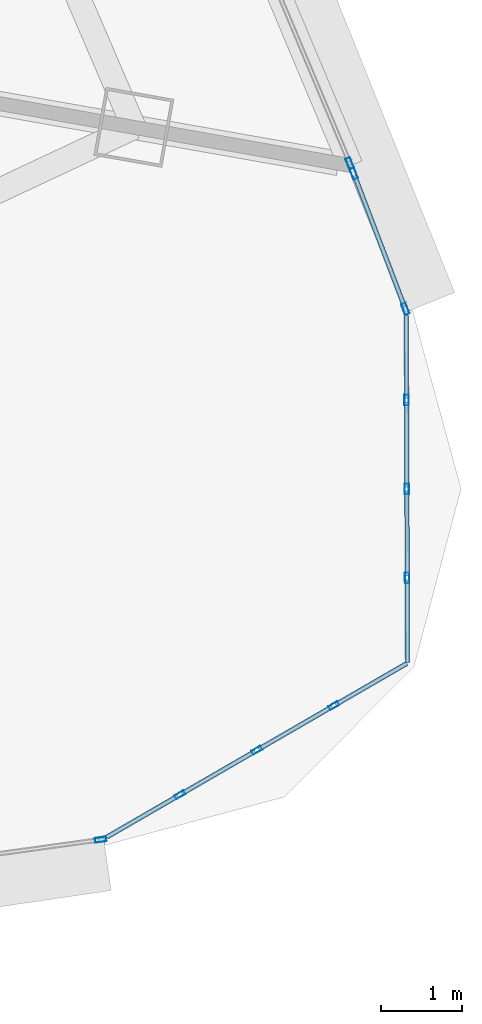
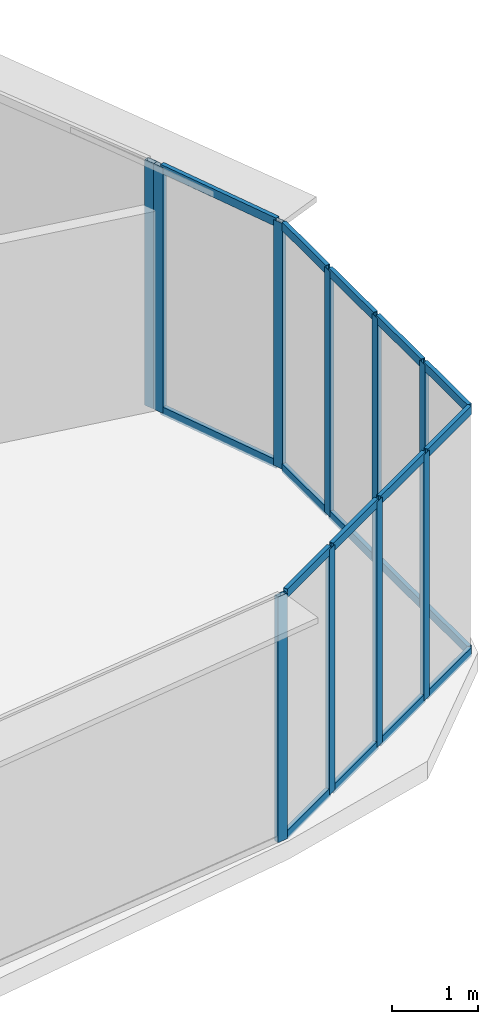
# One storey, part 26 of 36: 28 members, 5 elements without a shape of their own.
"""IFC4 building model written with IfcOpenShell, lengths in metres."""

from ifc_helpers import new_model, si_unit, direction, frame, origin, origin_2d, place, context, subcontext, project, spatial, hollow_rectangle, extrude, source, transform, mapped, material, layer, layer_set, material_profile, profile_set, type_object, element, aggregate, save


model = new_model("IFC4")

# Units and contexts
model_context = context("Model", 3, precision=1e-05, world=origin(), true_north=direction((0.0, 1.0)))
body_context = subcontext(model_context, "Body", "Model", "MODEL_VIEW")
ifc_project = project(units=[si_unit("LENGTHUNIT", "METRE"), si_unit("AREAUNIT", "SQUARE_METRE"), si_unit("VOLUMEUNIT", "CUBIC_METRE"), si_unit("PLANEANGLEUNIT", "RADIAN"), si_unit("MASSUNIT", "GRAM", prefix="KILO"), si_unit("THERMODYNAMICTEMPERATUREUNIT", "KELVIN"), si_unit("POWERUNIT", "WATT")], contexts=[model_context])

# Site, building, storey
site_placement = place(None, origin())
site = spatial("IfcSite", under=ifc_project, at=site_placement, CompositionType="ELEMENT")
building_placement = place(site_placement, origin())
building = spatial("IfcBuilding", under=site, at=building_placement, Name="Yunzhuo Pagoda Commons", CompositionType="ELEMENT")
storey_placement = place(building_placement, frame((0.0, 0.0, 248.260009765625)))
storey = spatial("IfcBuildingStorey", under=building, at=storey_placement, Name="L62", CompositionType="ELEMENT", Elevation=248.260009765625)

# Curtain wall, member
ifc_material = material(Name="Anodized aluminium 6063-T6", Category="aluminium")
ifc_layer_1 = layer(ifc_material, 0.139892578125)
ifc_layer_set_1 = layer_set([ifc_layer_1], Name="Anodized aluminium 6063-T6")
curtain_wall_type_1 = type_object("IfcCurtainWallType", Name="CW-HI High-Zone Ribbon Curtain Wall", PredefinedType="NOTDEFINED", material=ifc_layer_set_1)
curtain_wall_1_placement = place(storey_placement, origin())
curtain_wall_1 = element("IfcCurtainWall", 1, at=curtain_wall_1_placement, inside=storey, type_object=curtain_wall_type_1, Name="L62 curtain wall CW-L62-F1B5", PredefinedType="NOTDEFINED")
ifc_material_profile_1 = material_profile(ifc_material, hollow_rectangle(XDim=0.06005859375, YDim=0.139892578125, WallThickness=0.00341796875, at=origin_2d()), Name="Anodized aluminium 6063-T6")
ifc_profile_set_1 = profile_set([ifc_material_profile_1], Name="Anodized aluminium 6063-T6")
member_type_1 = type_object("IfcMemberType", Name="CW-HI-M Mullion RHS 140x60x3.5", PredefinedType="MULLION", material=ifc_profile_set_1)
shared_shape_1 = source(origin(), body_context, "Body", "SweptSolid", [
    extrude(hollow_rectangle(XDim=0.06005859375, YDim=0.139892578125, WallThickness=0.00341796875, at=origin_2d()), origin(), (0.0, 0.0, 1.0), 3.47021484375),
])
member_1_placement = place(storey_placement, frame((79.5244140625, 19.29833984375, 0.0), z_axis=(0.0, 0.0, 1.0), x_axis=(-0.137250412651, 0.990536382082, 0.0)))
member_1 = element("IfcMember", 2, at=member_1_placement, type_object=member_type_1, Name="CW mullion 2", PredefinedType="MULLION", context=body_context, shape_type="MappedRepresentation", body=[
    mapped(shared_shape_1, transform((0.0, 0.0, 0.0), scale=1.0)),
])
aggregate(curtain_wall_1, [member_1])

curtain_wall_2_placement = place(storey_placement, origin())
curtain_wall_2 = element("IfcCurtainWall", 3, at=curtain_wall_2_placement, inside=storey, type_object=curtain_wall_type_1, Name="L62 curtain wall CW-L62-F2B2", PredefinedType="NOTDEFINED")
member_2_placement = place(storey_placement, frame((82.5927734375, 27.6259765625, 0.0), z_axis=(0.0, 0.0, 1.0), x_axis=(-0.922008372235, -0.387169938824, 0.0)))
member_2 = element("IfcMember", 4, at=member_2_placement, type_object=member_type_1, Name="CW mullion 1", PredefinedType="MULLION", context=body_context, shape_type="MappedRepresentation", body=[
    mapped(shared_shape_1, transform((0.0, 0.0, 0.0), scale=1.0)),
])
aggregate(curtain_wall_2, [member_2])

# Curtain wall, members
curtain_wall_3_placement = place(storey_placement, origin())
curtain_wall_3 = element("IfcCurtainWall", 5, at=curtain_wall_3_placement, inside=storey, type_object=curtain_wall_type_1, Name="L62 curtain wall CW-L62-F2B1", PredefinedType="NOTDEFINED")
member_3_placement = place(storey_placement, frame((83.277099609375, 25.833251953125, 0.0), z_axis=(0.0, 0.0, 1.0), x_axis=(-0.934441330585, -0.356117115139, 0.0)))
member_3 = element("IfcMember", 6, at=member_3_placement, type_object=member_type_1, Name="CW mullion 1", PredefinedType="MULLION", context=body_context, shape_type="MappedRepresentation", body=[
    mapped(shared_shape_1, transform((0.0, 0.0, 0.0), scale=1.0)),
])
member_4_placement = place(storey_placement, frame((82.641845703125, 27.500244140625, 0.0), z_axis=(0.0, 0.0, 1.0), x_axis=(-0.934441330585, -0.356117115139, 0.0)))
member_4 = element("IfcMember", 7, at=member_4_placement, type_object=member_type_1, Name="CW mullion 2", PredefinedType="MULLION", context=body_context, shape_type="MappedRepresentation", body=[
    mapped(shared_shape_1, transform((0.0, 0.0, 0.0), scale=1.0)),
])
ifc_material_profile_2 = material_profile(ifc_material, hollow_rectangle(XDim=0.054931640625, YDim=0.1201171875, WallThickness=0.00341796875, at=origin_2d()), Name="Anodized aluminium 6063-T6")
ifc_profile_set_2 = profile_set([ifc_material_profile_2], Name="Anodized aluminium 6063-T6")
member_type_2 = type_object("IfcMemberType", Name="CW-HI-T Transom RHS 120x55x3.5", PredefinedType="USERDEFINED", material=ifc_profile_set_2)
shared_shape_2 = source(origin(), body_context, "Body", "SweptSolid", [
    extrude(hollow_rectangle(XDim=0.054931640625, YDim=0.1201171875, WallThickness=0.00341796875, at=origin_2d()), origin(), (0.0, 0.0, 1.0), 1.723876953125),
])
member_5_placement = place(storey_placement, frame((83.266357421875, 25.861328125, 0.027587890625), z_axis=(-0.356054221933, 0.934465296864, 0.0), x_axis=(-0.934465296864, -0.356054221933, 0.0)))
member_5 = element("IfcMember", 8, at=member_5_placement, type_object=member_type_2, Name="CW transom 1.1", ObjectType="TRANSOM", PredefinedType="USERDEFINED", context=body_context, shape_type="MappedRepresentation", body=[
    mapped(shared_shape_2, transform((0.0, 0.0, 0.0), scale=1.0)),
])
member_6_placement = place(storey_placement, frame((83.266357421875, 25.861328125, 3.4423828125), z_axis=(-0.356054221933, 0.934465296864, 0.0), x_axis=(-0.934465296864, -0.356054221933, 0.0)))
member_6 = element("IfcMember", 9, at=member_6_placement, type_object=member_type_2, Name="CW transom 1.2", ObjectType="TRANSOM", PredefinedType="USERDEFINED", context=body_context, shape_type="MappedRepresentation", body=[
    mapped(shared_shape_2, transform((0.0, 0.0, 0.0), scale=1.0)),
])
aggregate(curtain_wall_3, [member_3, member_4, member_5, member_6])

ifc_layer_2 = layer(ifc_material, 0.1298828125)
ifc_layer_set_2 = layer_set([ifc_layer_2], Name="Anodized aluminium 6063-T6")
curtain_wall_type_2 = type_object("IfcCurtainWallType", Name="CW-VTX Rounded Corner Curtain Wall", PredefinedType="NOTDEFINED", material=ifc_layer_set_2)
curtain_wall_4_placement = place(storey_placement, origin())
curtain_wall_4 = element("IfcCurtainWall", 10, at=curtain_wall_4_placement, inside=storey, type_object=curtain_wall_type_2, Name="L62 curtain wall CW-L62-VTX2S1", PredefinedType="NOTDEFINED")
ifc_material_profile_3 = material_profile(ifc_material, hollow_rectangle(XDim=0.054931640625, YDim=0.1298828125, WallThickness=0.00341796875, at=origin_2d()), Name="Anodized aluminium 6063-T6")
ifc_profile_set_3 = profile_set([ifc_material_profile_3], Name="Anodized aluminium 6063-T6")
member_type_3 = type_object("IfcMemberType", Name="CW-VTX-M Mullion RHS 130x55x3.5", PredefinedType="MULLION", material=ifc_profile_set_3)
shared_shape_3 = source(origin(), body_context, "Body", "SweptSolid", [
    extrude(hollow_rectangle(XDim=0.054931640625, YDim=0.1298828125, WallThickness=0.00341796875, at=origin_2d()), origin(), (0.0, 0.0, 1.0), 3.47021484375),
])
member_7_placement = place(storey_placement, frame((80.50146484375, 19.850830078125, 0.0), z_axis=(0.0, 0.0, 1.0), x_axis=(-0.501035370268, 0.865426806692, 0.0)))
member_7 = element("IfcMember", 11, at=member_7_placement, type_object=member_type_3, Name="CW mullion 2", PredefinedType="MULLION", context=body_context, shape_type="MappedRepresentation", body=[
    mapped(shared_shape_3, transform((0.0, 0.0, 0.0), scale=1.0)),
])
member_8_placement = place(storey_placement, frame((81.448974609375, 20.3994140625, 0.0), z_axis=(0.0, 0.0, 1.0), x_axis=(-0.501035370268, 0.865426806692, 0.0)))
member_8 = element("IfcMember", 12, at=member_8_placement, type_object=member_type_3, Name="CW mullion 3", PredefinedType="MULLION", context=body_context, shape_type="MappedRepresentation", body=[
    mapped(shared_shape_3, transform((0.0, 0.0, 0.0), scale=1.0)),
])
member_9_placement = place(storey_placement, frame((82.39599609375, 20.94775390625, 0.0), z_axis=(0.0, 0.0, 1.0), x_axis=(-0.501035370268, 0.865426806692, 0.0)))
member_9 = element("IfcMember", 13, at=member_9_placement, type_object=member_type_3, Name="CW mullion 4", PredefinedType="MULLION", context=body_context, shape_type="MappedRepresentation", body=[
    mapped(shared_shape_3, transform((0.0, 0.0, 0.0), scale=1.0)),
])

curtain_wall_5_placement = place(storey_placement, origin())
curtain_wall_5 = element("IfcCurtainWall", 14, at=curtain_wall_5_placement, inside=storey, type_object=curtain_wall_type_2, Name="L62 curtain wall CW-L62-VTX2S2", PredefinedType="NOTDEFINED")
member_10_placement = place(storey_placement, frame((83.2998046875, 22.521484375, 0.0), z_axis=(0.0, 0.0, 1.0), x_axis=(-0.999993571429, -0.003585679809, 0.0)))
member_10 = element("IfcMember", 15, at=member_10_placement, type_object=member_type_3, Name="CW mullion 2", PredefinedType="MULLION", context=body_context, shape_type="MappedRepresentation", body=[
    mapped(shared_shape_3, transform((0.0, 0.0, 0.0), scale=1.0)),
])
member_11_placement = place(storey_placement, frame((83.295654296875, 23.615966796875, 0.0), z_axis=(0.0, 0.0, 1.0), x_axis=(-0.999993571429, -0.003585679809, 0.0)))
member_11 = element("IfcMember", 16, at=member_11_placement, type_object=member_type_3, Name="CW mullion 3", PredefinedType="MULLION", context=body_context, shape_type="MappedRepresentation", body=[
    mapped(shared_shape_3, transform((0.0, 0.0, 0.0), scale=1.0)),
])
member_12_placement = place(storey_placement, frame((83.291748046875, 24.710693359375, 0.0), z_axis=(0.0, 0.0, 1.0), x_axis=(-0.999993571429, -0.003585679809, 0.0)))
member_12 = element("IfcMember", 17, at=member_12_placement, type_object=member_type_3, Name="CW mullion 4", PredefinedType="MULLION", context=body_context, shape_type="MappedRepresentation", body=[
    mapped(shared_shape_3, transform((0.0, 0.0, 0.0), scale=1.0)),
])

# Member
ifc_material_profile_4 = material_profile(ifc_material, hollow_rectangle(XDim=0.054931640625, YDim=0.1201171875, WallThickness=0.00341796875, at=origin_2d()), Name="Anodized aluminium 6063-T6")
ifc_profile_set_4 = profile_set([ifc_material_profile_4], Name="Anodized aluminium 6063-T6")
member_type_4 = type_object("IfcMemberType", Name="CW-VTX-T Transom RHS 120x55x3.5", PredefinedType="USERDEFINED", material=ifc_profile_set_4)
shared_shape_4 = source(origin(), body_context, "Body", "SweptSolid", [
    extrude(hollow_rectangle(XDim=0.054931640625, YDim=0.1201171875, WallThickness=0.00341796875, at=origin_2d()), origin(), (0.0, 0.0, 1.0), 1.011962890625),
])
member_13_placement = place(storey_placement, frame((79.601806640625, 19.330078125, 0.027587890625), z_axis=(0.865393248242, 0.501093330526, 0.0), x_axis=(-0.501093330526, 0.865393248242, 0.0)))
member_13 = element("IfcMember", 18, at=member_13_placement, type_object=member_type_4, Name="CW transom 1.1", ObjectType="TRANSOM", PredefinedType="USERDEFINED", context=body_context, shape_type="MappedRepresentation", body=[
    mapped(shared_shape_4, transform((0.0, 0.0, 0.0), scale=1.0)),
])

member_14_placement = place(storey_placement, frame((79.601806640625, 19.330078125, 3.4423828125), z_axis=(0.865393248242, 0.501093330526, 0.0), x_axis=(-0.501093330526, 0.865393248242, 0.0)))
member_14 = element("IfcMember", 19, at=member_14_placement, type_object=member_type_4, Name="CW transom 1.2", ObjectType="TRANSOM", PredefinedType="USERDEFINED", context=body_context, shape_type="MappedRepresentation", body=[
    mapped(shared_shape_4, transform((0.0, 0.0, 0.0), scale=1.0)),
])

member_15_placement = place(storey_placement, frame((83.291748046875, 24.73828125, 0.027587890625), z_axis=(-0.003618794157, 0.999993452143, 0.0), x_axis=(-0.999993452143, -0.003618794157, 0.0)))
member_15 = element("IfcMember", 20, at=member_15_placement, type_object=member_type_4, Name="CW transom 4.1", ObjectType="TRANSOM", PredefinedType="USERDEFINED", context=body_context, shape_type="MappedRepresentation", body=[
    mapped(shared_shape_4, transform((0.0, 0.0, 0.0), scale=1.0)),
])

member_16_placement = place(storey_placement, frame((83.291748046875, 24.73828125, 3.4423828125), z_axis=(-0.003618794157, 0.999993452143, 0.0), x_axis=(-0.999993452143, -0.003618794157, 0.0)))
member_16 = element("IfcMember", 21, at=member_16_placement, type_object=member_type_4, Name="CW transom 4.2", ObjectType="TRANSOM", PredefinedType="USERDEFINED", context=body_context, shape_type="MappedRepresentation", body=[
    mapped(shared_shape_4, transform((0.0, 0.0, 0.0), scale=1.0)),
])

shared_shape_5 = source(origin(), body_context, "Body", "SweptSolid", [
    extrude(hollow_rectangle(XDim=0.054931640625, YDim=0.1201171875, WallThickness=0.00341796875, at=origin_2d()), origin(), (0.0, 0.0, 1.0), 1.039794921875),
])
member_17_placement = place(storey_placement, frame((81.47265625, 20.4130859375, 0.027587890625), z_axis=(0.865426285481, 0.501036270542, 0.0), x_axis=(-0.501036270542, 0.865426285481, 0.0)))
member_17 = element("IfcMember", 22, at=member_17_placement, type_object=member_type_4, Name="CW transom 3.1", ObjectType="TRANSOM", PredefinedType="USERDEFINED", context=body_context, shape_type="MappedRepresentation", body=[
    mapped(shared_shape_5, transform((0.0, 0.0, 0.0), scale=1.0)),
])

member_18_placement = place(storey_placement, frame((81.47265625, 20.4130859375, 3.4423828125), z_axis=(0.865426285481, 0.501036270542, 0.0), x_axis=(-0.501036270542, 0.865426285481, 0.0)))
member_18 = element("IfcMember", 23, at=member_18_placement, type_object=member_type_4, Name="CW transom 3.2", ObjectType="TRANSOM", PredefinedType="USERDEFINED", context=body_context, shape_type="MappedRepresentation", body=[
    mapped(shared_shape_5, transform((0.0, 0.0, 0.0), scale=1.0)),
])

member_19_placement = place(storey_placement, frame((83.2998046875, 22.548828125, 0.027587890625), z_axis=(-0.003991515514, 0.99999203387, 0.0), x_axis=(-0.99999203387, -0.003991515514, 0.0)))
member_19 = element("IfcMember", 24, at=member_19_placement, type_object=member_type_4, Name="CW transom 2.1", ObjectType="TRANSOM", PredefinedType="USERDEFINED", context=body_context, shape_type="MappedRepresentation", body=[
    mapped(shared_shape_5, transform((0.0, 0.0, 0.0), scale=1.0)),
])

member_20_placement = place(storey_placement, frame((83.2998046875, 22.548828125, 3.4423828125), z_axis=(-0.003991515514, 0.99999203387, 0.0), x_axis=(-0.99999203387, -0.003991515514, 0.0)))
member_20 = element("IfcMember", 25, at=member_20_placement, type_object=member_type_4, Name="CW transom 2.2", ObjectType="TRANSOM", PredefinedType="USERDEFINED", context=body_context, shape_type="MappedRepresentation", body=[
    mapped(shared_shape_5, transform((0.0, 0.0, 0.0), scale=1.0)),
])

member_21_placement = place(storey_placement, frame((83.295654296875, 23.6435546875, 0.027587890625), z_axis=(-0.003756723901, 0.999992943488, 0.0), x_axis=(-0.999992943488, -0.003756723901, 0.0)))
member_21 = element("IfcMember", 26, at=member_21_placement, type_object=member_type_4, Name="CW transom 3.1", ObjectType="TRANSOM", PredefinedType="USERDEFINED", context=body_context, shape_type="MappedRepresentation", body=[
    mapped(shared_shape_5, transform((0.0, 0.0, 0.0), scale=1.0)),
])

member_22_placement = place(storey_placement, frame((83.295654296875, 23.6435546875, 3.4423828125), z_axis=(-0.003756723901, 0.999992943488, 0.0), x_axis=(-0.999992943488, -0.003756723901, 0.0)))
member_22 = element("IfcMember", 27, at=member_22_placement, type_object=member_type_4, Name="CW transom 3.2", ObjectType="TRANSOM", PredefinedType="USERDEFINED", context=body_context, shape_type="MappedRepresentation", body=[
    mapped(shared_shape_5, transform((0.0, 0.0, 0.0), scale=1.0)),
])

shared_shape_6 = source(origin(), body_context, "Body", "SweptSolid", [
    extrude(hollow_rectangle(XDim=0.054931640625, YDim=0.1201171875, WallThickness=0.00341796875, at=origin_2d()), origin(), (0.0, 0.0, 1.0), 1.01220703125),
])
member_23_placement = place(storey_placement, frame((82.419921875, 20.961669921875, 0.027587890625), z_axis=(0.865453807894, 0.500988728817, 0.0), x_axis=(-0.500988728817, 0.865453807894, 0.0)))
member_23 = element("IfcMember", 28, at=member_23_placement, type_object=member_type_4, Name="CW transom 4.1", ObjectType="TRANSOM", PredefinedType="USERDEFINED", context=body_context, shape_type="MappedRepresentation", body=[
    mapped(shared_shape_6, transform((0.0, 0.0, 0.0), scale=1.0)),
])

member_24_placement = place(storey_placement, frame((82.419921875, 20.961669921875, 3.4423828125), z_axis=(0.865453807894, 0.500988728817, 0.0), x_axis=(-0.500988728817, 0.865453807894, 0.0)))
member_24 = element("IfcMember", 29, at=member_24_placement, type_object=member_type_4, Name="CW transom 4.2", ObjectType="TRANSOM", PredefinedType="USERDEFINED", context=body_context, shape_type="MappedRepresentation", body=[
    mapped(shared_shape_6, transform((0.0, 0.0, 0.0), scale=1.0)),
])

member_25_placement = place(storey_placement, frame((83.30322265625, 21.48193359375, 0.027587890625), z_axis=(-0.003376729422, 0.999994298833, 0.0), x_axis=(-0.999994298833, -0.003376729422, 0.0)))
member_25 = element("IfcMember", 30, at=member_25_placement, type_object=member_type_4, Name="CW transom 1.1", ObjectType="TRANSOM", PredefinedType="USERDEFINED", context=body_context, shape_type="MappedRepresentation", body=[
    mapped(shared_shape_6, transform((0.0, 0.0, 0.0), scale=1.0)),
])

member_26_placement = place(storey_placement, frame((83.30322265625, 21.48193359375, 3.4423828125), z_axis=(-0.003376729422, 0.999994298833, 0.0), x_axis=(-0.999994298833, -0.003376729422, 0.0)))
member_26 = element("IfcMember", 31, at=member_26_placement, type_object=member_type_4, Name="CW transom 1.2", ObjectType="TRANSOM", PredefinedType="USERDEFINED", context=body_context, shape_type="MappedRepresentation", body=[
    mapped(shared_shape_6, transform((0.0, 0.0, 0.0), scale=1.0)),
])

aggregate(curtain_wall_5, [member_10, member_11, member_12, member_25, member_26, member_19, member_20, member_21, member_22, member_15, member_16])

shared_shape_7 = source(origin(), body_context, "Body", "SweptSolid", [
    extrude(hollow_rectangle(XDim=0.054931640625, YDim=0.1201171875, WallThickness=0.00341796875, at=origin_2d()), origin(), (0.0, 0.0, 1.0), 1.03955078125),
])
member_27_placement = place(storey_placement, frame((80.525390625, 19.86474609375, 0.027587890625), z_axis=(0.865367327112, 0.50113809391, 0.0), x_axis=(-0.50113809391, 0.865367327112, 0.0)))
member_27 = element("IfcMember", 32, at=member_27_placement, type_object=member_type_4, Name="CW transom 2.1", ObjectType="TRANSOM", PredefinedType="USERDEFINED", context=body_context, shape_type="MappedRepresentation", body=[
    mapped(shared_shape_7, transform((0.0, 0.0, 0.0), scale=1.0)),
])

member_28_placement = place(storey_placement, frame((80.525390625, 19.86474609375, 3.4423828125), z_axis=(0.865367327112, 0.50113809391, 0.0), x_axis=(-0.50113809391, 0.865367327112, 0.0)))
member_28 = element("IfcMember", 33, at=member_28_placement, type_object=member_type_4, Name="CW transom 2.2", ObjectType="TRANSOM", PredefinedType="USERDEFINED", context=body_context, shape_type="MappedRepresentation", body=[
    mapped(shared_shape_7, transform((0.0, 0.0, 0.0), scale=1.0)),
])

aggregate(curtain_wall_4, [member_7, member_8, member_9, member_13, member_14, member_27, member_28, member_17, member_18, member_23, member_24])

save(model, "model.ifc")
